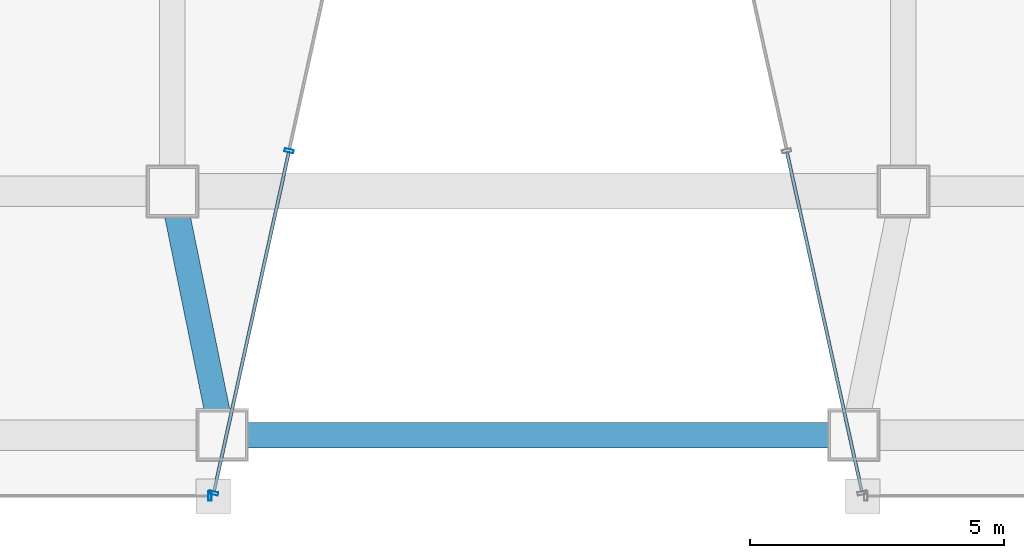
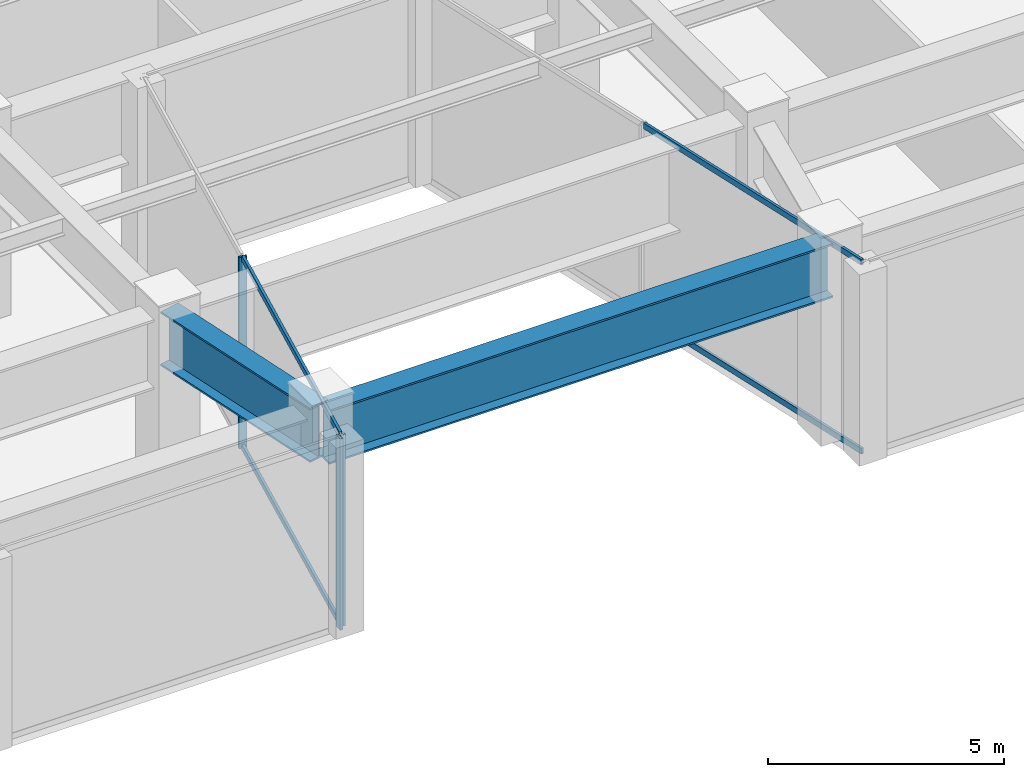
# One storey, part 6 of 42: 7 members, 2 beams, 3 elements without a shape of their own.
"""IFC4 building model written with IfcOpenShell, lengths in metres."""

import ifcopenshell
import ifcopenshell.guid

model = None  # the IFC model being written
_history = None  # IfcOwnerHistory: only IFC2X3 demands one
_inside = {}  # id of a spatial element -> (the spatial element, [elements in it])
_under = {}  # id of a project, library or spatial element -> (it, [spatial elements below it])
_declared = {}  # id of a project -> (the project, [libraries it declares])
_typed = {}  # id of a type object -> (the type object, [elements of that type])
_made_of = {}  # id of a material, layer set ... -> (it, [elements and type objects made of it])


def new_model(schema):
    """Start an empty IFC model of exactly this schema.

    Asked for "IFC4X3", IfcOpenShell would pick the latest addendum, in which some entities
    have other attributes; the version numbers below select the first issue.
    IFC2X3 requires an IfcOwnerHistory on every rooted entity: one is made here for all.
    """
    global model, _history
    if schema == "IFC4X3":
        model = ifcopenshell.file(schema_version=(4, 3, 0, 0))
    else:
        model = ifcopenshell.file(schema=schema)
    _inside.clear()
    _under.clear()
    _declared.clear()
    _typed.clear()
    _made_of.clear()
    _history = None
    if model.schema == "IFC2X3":
        org = make("IfcOrganization", Name="unknown")
        user = make(
            "IfcPersonAndOrganization",
            ThePerson=make("IfcPerson", FamilyName="unknown"),
            TheOrganization=org,
        )
        app = make(
            "IfcApplication",
            ApplicationDeveloper=org,
            Version="unknown",
            ApplicationFullName="unknown",
            ApplicationIdentifier="unknown",
        )
        _history = make(
            "IfcOwnerHistory",
            OwningUser=user,
            OwningApplication=app,
            ChangeAction="ADDED",
            CreationDate=0,
        )
    return model


def make(cls, **values):
    """One entity of the class cls with the attributes given. An attribute that is None is left unset."""
    return model.create_entity(
        cls, **{name: value for name, value in values.items() if value is not None}
    )


def rooted(cls, **values):
    """An entity with a GlobalId (a new one), such as an element, a storey or a relation."""
    return make(cls, GlobalId=ifcopenshell.guid.new(), OwnerHistory=_history, **values)


def si_unit(unit_type, name, prefix=None):
    """IfcSIUnit, for example si_unit("LENGTHUNIT", "METRE", prefix="MILLI")."""
    return make("IfcSIUnit", UnitType=unit_type, Prefix=prefix, Name=name)


def assignment(units):
    """IfcUnitAssignment: the units of a project."""
    return None if units is None else make("IfcUnitAssignment", Units=units)


def point(xyz):
    """IfcCartesianPoint."""
    return None if xyz is None else make("IfcCartesianPoint", Coordinates=xyz)


def direction(xyz):
    """IfcDirection."""
    return None if xyz is None else make("IfcDirection", DirectionRatios=xyz)


def frame(location, z_axis=None, x_axis=None):
    """IfcAxis2Placement3D, a coordinate frame: its origin and axes. An axis left out is left unset."""
    return make(
        "IfcAxis2Placement3D",
        Location=point(location),
        Axis=direction(z_axis),
        RefDirection=direction(x_axis),
    )


def frame_2d(location, x_axis=None):
    """IfcAxis2Placement2D, a coordinate frame in the plane: its origin and x axis."""
    return make(
        "IfcAxis2Placement2D", Location=point(location), RefDirection=direction(x_axis)
    )


def origin():
    """The frame at (0, 0, 0) with its axes left unset."""
    return frame((0.0, 0.0, 0.0))


def origin_2d():
    """The frame at (0, 0) in the plane with its x axis left unset."""
    return frame_2d((0.0, 0.0))


def place(relative_to, where):
    """IfcLocalPlacement: puts the frame where relative to a parent placement (None: the world)."""
    return make(
        "IfcLocalPlacement", PlacementRelTo=relative_to, RelativePlacement=where
    )


def context(
    kind, dimensions, precision=None, world=None, true_north=None, identifier=None
):
    """IfcGeometricRepresentationContext, for example the 3D "Model" context."""
    return make(
        "IfcGeometricRepresentationContext",
        ContextIdentifier=identifier,
        ContextType=kind,
        CoordinateSpaceDimension=dimensions,
        Precision=precision,
        WorldCoordinateSystem=world,
        TrueNorth=true_north,
    )


def subcontext(parent, identifier, kind, view, scale=None):
    """IfcGeometricRepresentationSubContext, for example "Body" below "Model"."""
    return make(
        "IfcGeometricRepresentationSubContext",
        ContextIdentifier=identifier,
        ContextType=kind,
        ParentContext=parent,
        TargetScale=scale,
        TargetView=view,
    )


def project(units=None, contexts=None):
    """IfcProject with its units and contexts."""
    return rooted(
        "IfcProject",
        Name="project",
        RepresentationContexts=contexts,
        UnitsInContext=assignment(units),
    )


def spatial(cls, under=None, at=None, **own):
    """A site, building, storey or space (cls), placed at a placement, below another one or the project."""
    s = rooted(cls, ObjectPlacement=at, **own)
    if under is not None:
        _under.setdefault(under.id(), (under, []))[1].append(s)
    return s


def profile(cls, at=None, kind="AREA", **sizes):
    """A parametric profile (cls). Its sizes go by their IFC names, for example OverallWidth=200.0."""
    return make(cls, ProfileType=kind, Position=at, **sizes)


def hollow_rectangle(**sizes):
    """IfcRectangleHollowProfileDef."""
    return profile("IfcRectangleHollowProfileDef", **sizes)


def i_section(**sizes):
    """IfcIShapeProfileDef."""
    return profile("IfcIShapeProfileDef", **sizes)


def extrude(swept, where, along, depth):
    """IfcExtrudedAreaSolid: the profile swept, set in the frame where, extruded along a direction by depth."""
    return make(
        "IfcExtrudedAreaSolid",
        SweptArea=swept,
        Position=where,
        ExtrudedDirection=direction(along),
        Depth=depth,
    )


def shape(context_of_items, identifier, shape_type, items):
    """IfcShapeRepresentation: the items that make up one representation, for example the "Body"."""
    return make(
        "IfcShapeRepresentation",
        ContextOfItems=context_of_items,
        RepresentationIdentifier=identifier,
        RepresentationType=shape_type,
        Items=items,
    )


def material(Name=None, Category=None):
    """IfcMaterial."""
    return make("IfcMaterial", Name=Name, Category=Category)


def material_profile(
    of_material, cross_section, Name=None, Category=None, Priority=None
):
    """IfcMaterialProfile: a cross section and its material."""
    return make(
        "IfcMaterialProfile",
        Name=Name,
        Material=of_material,
        Profile=cross_section,
        Priority=Priority,
        Category=Category,
    )


def profile_set(profiles, Name=None, composite=None):
    """IfcMaterialProfileSet."""
    return make(
        "IfcMaterialProfileSet",
        Name=Name,
        MaterialProfiles=profiles,
        CompositeProfile=composite,
    )


def made_of(thing, what):
    """Note that an element or type object is made of a material, layer set ...; save() writes the relation."""
    if what is not None:
        _made_of.setdefault(what.id(), (what, []))[1].append(thing)
    return thing


def type_object(cls, material=None, **own):
    """A type object (cls), such as IfcWallType, which elements share."""
    return made_of(rooted(cls, **own), material)


def element(
    cls,
    number,
    at=None,
    inside=None,
    cuts=None,
    type_object=None,
    material=None,
    context=None,
    identifier="Body",
    shape_type=None,
    held_by="IfcProductDefinitionShape",
    body=None,
    shapes=None,
    **own,
):
    """One element of the class cls, such as IfcWall. Its Tag is "e" and its number.

    at: its placement. inside: the storey or other place that contains it. cuts: it is an
    opening in that element (IfcRelVoidsElement). A single representation is given by context,
    identifier, shape_type and body (its items); several are given by shapes. held_by: the class
    of the entity that holds the representations. save() writes the other relations.
    """
    e = rooted(cls, Tag="e%d" % number, ObjectPlacement=at, **own)
    if body is not None:
        shapes = [shape(context, identifier, shape_type, body)]
    if shapes is not None:
        e.Representation = make(held_by, Representations=shapes)
    if inside is not None:
        _inside.setdefault(inside.id(), (inside, []))[1].append(e)
    if cuts is not None:
        rooted(
            "IfcRelVoidsElement", RelatingBuildingElement=cuts, RelatedOpeningElement=e
        )
    if type_object is not None:
        _typed.setdefault(type_object.id(), (type_object, []))[1].append(e)
    return made_of(e, material)


def aggregate(whole, parts):
    """IfcRelAggregates: a whole, such as a stair, and the parts it consists of."""
    return rooted("IfcRelAggregates", RelatingObject=whole, RelatedObjects=parts)


def save(model, path):
    """Write the relations noted so far, then the file.

    IfcRelAggregates (storeys below a building ...), IfcRelContainedInSpatialStructure (elements
    in a storey), IfcRelDefinesByType, IfcRelAssociatesMaterial and IfcRelDeclares: one each for
    every whole, place, type object, material and project.
    """
    for whole, parts in _under.values():
        aggregate(whole, parts)
    for where, things in _inside.values():
        rooted(
            "IfcRelContainedInSpatialStructure",
            RelatedElements=things,
            RelatingStructure=where,
        )
    for kind, things in _typed.values():
        rooted("IfcRelDefinesByType", RelatedObjects=things, RelatingType=kind)
    for what, things in _made_of.values():
        rooted("IfcRelAssociatesMaterial", RelatedObjects=things, RelatingMaterial=what)
    for by, libraries in _declared.values():
        rooted("IfcRelDeclares", RelatingContext=by, RelatedDefinitions=libraries)
    model.write(path)


model = new_model("IFC4")

# Units and contexts
model_context = context("Model", 3, precision=1e-05, world=origin(), true_north=direction((0.0, 1.0)))
body_context = subcontext(model_context, "Body", "Model", "MODEL_VIEW")
ifc_project = project(units=[si_unit("LENGTHUNIT", "METRE"), si_unit("AREAUNIT", "SQUARE_METRE"), si_unit("VOLUMEUNIT", "CUBIC_METRE"), si_unit("PLANEANGLEUNIT", "RADIAN"), si_unit("MASSUNIT", "GRAM", prefix="KILO")], contexts=[model_context])

# Site, building, storey
site_placement = place(None, origin())
site = spatial("IfcSite", under=ifc_project, at=site_placement, CompositionType="ELEMENT")
building_placement = place(site_placement, origin())
building = spatial("IfcBuilding", under=site, at=building_placement, Name="Saevonmaru Cultural Tower", CompositionType="ELEMENT")
storey_placement = place(building_placement, frame((0.0, 0.0, 33.0)))
storey = spatial("IfcBuildingStorey", under=building, at=storey_placement, Name="L06", CompositionType="ELEMENT", Elevation=33.0)

# Beams
ifc_material_1 = material(Name="Steel HSA600 (600 MPa)", Category="steel")
ifc_material_profile_1 = material_profile(ifc_material_1, i_section(OverallWidth=0.5, OverallDepth=1.39990234375, WebThickness=0.02392578125, FlangeThickness=0.044921875, at=origin_2d()), Name="PG-1400x500x24x45")
ifc_profile_set_1 = profile_set([ifc_material_profile_1], Name="Steel HSA600 (600 MPa)")
beam_type = type_object("IfcBeamType", Name="BM-TG-PG1400", PredefinedType="BEAM", material=ifc_profile_set_1)
beam_1_placement = place(storey_placement, frame((23.76806640625, 3.2587890625, 4.25), z_axis=(-0.200054094908, 0.979784853481, 0.0), x_axis=(-0.979784853481, -0.200054094908, 0.0)))
element("IfcBeam", 1, at=beam_1_placement, inside=storey, type_object=beam_type, Name="L06 Podium Girder NS2-1", PredefinedType="BEAM", context=body_context, shape_type="SweptSolid", body=[
    extrude(i_section(OverallWidth=0.5, OverallDepth=1.39990234375, WebThickness=0.02392578125, FlangeThickness=0.044921875, at=origin_2d()), origin(), (0.0, 0.0, 1.0), 4.779052734375),
])
beam_2_placement = place(storey_placement, frame((23.840087890625, 3.199951171875, 4.25), z_axis=(1.0, 0.0, 0.0), x_axis=(0.0, 1.0, 0.0)))
element("IfcBeam", 2, at=beam_2_placement, inside=storey, type_object=beam_type, Name="BM-POD-EW-C-0-L06", PredefinedType="BEAM", context=body_context, shape_type="SweptSolid", body=[
    extrude(i_section(OverallWidth=0.5, OverallDepth=1.39990234375, WebThickness=0.02392578125, FlangeThickness=0.044921875, at=origin_2d()), origin(), (0.0, 0.0, 1.0), 12.31982421875),
])

# Curtain wall, member
ifc_material_2 = material(Name="Satin Bronze Anodised Aluminium", Category="aluminium")
curtain_wall_type = type_object("IfcCurtainWallType", Name="CW-SKY-GLZ", PredefinedType="NOTDEFINED", material=ifc_material_2)
curtain_wall_1_placement = place(storey_placement, origin())
curtain_wall_1 = element("IfcCurtainWall", 3, at=curtain_wall_1_placement, inside=storey, type_object=curtain_wall_type, Name="L06 Unitised Curtain Wall E2", PredefinedType="NOTDEFINED")
ifc_material_profile_2 = material_profile(ifc_material_2, hollow_rectangle(XDim=0.06494140625, YDim=0.179931640625, WallThickness=0.00390625, at=origin_2d()), Name="ALU-MULL-180x65x4")
ifc_profile_set_2 = profile_set([ifc_material_profile_2], Name="Satin Bronze Anodised Aluminium")
member_type_1 = type_object("IfcMemberType", Name="ML-CW-180x65", PredefinedType="MULLION", material=ifc_profile_set_2)
member_1_placement = place(storey_placement, frame((23.5400390625, 2.0, 0.0), z_axis=(0.0, 0.0, 1.0), x_axis=(1.0, 0.0, 0.0)))
member_1 = element("IfcMember", 4, at=member_1_placement, type_object=member_type_1, Name="CW-TW-L06-E2 mullion 2", PredefinedType="MULLION", context=body_context, shape_type="SweptSolid", body=[
    extrude(hollow_rectangle(XDim=0.06494140625, YDim=0.179931640625, WallThickness=0.00390625, at=origin_2d()), origin(), (0.0, 0.0, 1.0), 4.949951171875),
])
aggregate(curtain_wall_1, [member_1])

# Curtain wall, members
curtain_wall_2_placement = place(storey_placement, origin())
curtain_wall_2 = element("IfcCurtainWall", 5, at=curtain_wall_2_placement, inside=storey, type_object=curtain_wall_type, Name="L06 Unitised Curtain Wall E3", PredefinedType="NOTDEFINED")
member_2_placement = place(storey_placement, frame((23.61279296875, 2.05859375, 0.0), z_axis=(0.0, 0.0, 1.0), x_axis=(0.215413319953, 0.976522965212, 0.0)))
member_2 = element("IfcMember", 6, at=member_2_placement, type_object=member_type_1, Name="CW-TW-L06-E3 mullion 1", PredefinedType="MULLION", context=body_context, shape_type="SweptSolid", body=[
    extrude(hollow_rectangle(XDim=0.06494140625, YDim=0.179931640625, WallThickness=0.00390625, at=origin_2d()), origin(), (0.0, 0.0, 1.0), 4.949951171875),
])
member_3_placement = place(storey_placement, frame((25.10009765625, 8.800048828125, 0.0), z_axis=(0.0, 0.0, 1.0), x_axis=(0.215413319953, 0.976522965212, 0.0)))
member_3 = element("IfcMember", 7, at=member_3_placement, type_object=member_type_1, Name="CW-TW-L06-E3 mullion 2", PredefinedType="MULLION", context=body_context, shape_type="SweptSolid", body=[
    extrude(hollow_rectangle(XDim=0.06494140625, YDim=0.179931640625, WallThickness=0.00390625, at=origin_2d()), origin(), (0.0, 0.0, 1.0), 4.949951171875),
])
ifc_material_profile_3 = material_profile(ifc_material_2, hollow_rectangle(XDim=0.06494140625, YDim=0.14990234375, WallThickness=0.00390625, at=origin_2d()), Name="ALU-TRAN-150x65x4")
ifc_profile_set_3 = profile_set([ifc_material_profile_3], Name="Satin Bronze Anodised Aluminium")
member_type_2 = type_object("IfcMemberType", Name="TR-CW-150x65", PredefinedType="USERDEFINED", material=ifc_profile_set_3)
member_4_placement = place(storey_placement, frame((23.619873046875, 2.09033203125, 0.032470703125), z_axis=(0.215418166944, 0.976521895991, 0.0), x_axis=(-0.976521895991, 0.215418166944, 0.0)))
member_4 = element("IfcMember", 8, at=member_4_placement, type_object=member_type_2, Name="CW-TW-L06-E3 transom 1.1", ObjectType="TRANSOM", PredefinedType="USERDEFINED", context=body_context, shape_type="SweptSolid", body=[
    extrude(hollow_rectangle(XDim=0.06494140625, YDim=0.14990234375, WallThickness=0.00390625, at=origin_2d()), origin(), (0.0, 0.0, 1.0), 6.838623046875),
])
member_5_placement = place(storey_placement, frame((23.619873046875, 2.09033203125, 4.91748046875), z_axis=(0.215418166944, 0.976521895991, 0.0), x_axis=(-0.976521895991, 0.215418166944, 0.0)))
member_5 = element("IfcMember", 9, at=member_5_placement, type_object=member_type_2, Name="CW-TW-L06-E3 transom 1.2", ObjectType="TRANSOM", PredefinedType="USERDEFINED", context=body_context, shape_type="SweptSolid", body=[
    extrude(hollow_rectangle(XDim=0.06494140625, YDim=0.14990234375, WallThickness=0.00390625, at=origin_2d()), origin(), (0.0, 0.0, 1.0), 6.838623046875),
])
aggregate(curtain_wall_2, [member_2, member_3, member_4, member_5])

curtain_wall_3_placement = place(storey_placement, origin())
curtain_wall_3 = element("IfcCurtainWall", 10, at=curtain_wall_3_placement, inside=storey, type_object=curtain_wall_type, Name="L06 Unitised Curtain Wall E5", PredefinedType="NOTDEFINED")
member_6_placement = place(storey_placement, frame((34.906982421875, 8.768310546875, 0.032470703125), z_axis=(0.215418166944, -0.976521895991, 0.0), x_axis=(0.976521895991, 0.215418166944, 0.0)))
member_6 = element("IfcMember", 11, at=member_6_placement, type_object=member_type_2, Name="CW-TW-L06-E5 transom 2.1", ObjectType="TRANSOM", PredefinedType="USERDEFINED", context=body_context, shape_type="SweptSolid", body=[
    extrude(hollow_rectangle(XDim=0.06494140625, YDim=0.14990234375, WallThickness=0.00390625, at=origin_2d()), origin(), (0.0, 0.0, 1.0), 6.838623046875),
])
member_7_placement = place(storey_placement, frame((34.906982421875, 8.768310546875, 4.91748046875), z_axis=(0.215418166944, -0.976521895991, 0.0), x_axis=(0.976521895991, 0.215418166944, 0.0)))
member_7 = element("IfcMember", 12, at=member_7_placement, type_object=member_type_2, Name="CW-TW-L06-E5 transom 2.2", ObjectType="TRANSOM", PredefinedType="USERDEFINED", context=body_context, shape_type="SweptSolid", body=[
    extrude(hollow_rectangle(XDim=0.06494140625, YDim=0.14990234375, WallThickness=0.00390625, at=origin_2d()), origin(), (0.0, 0.0, 1.0), 6.838623046875),
])
aggregate(curtain_wall_3, [member_6, member_7])

save(model, "model.ifc")
